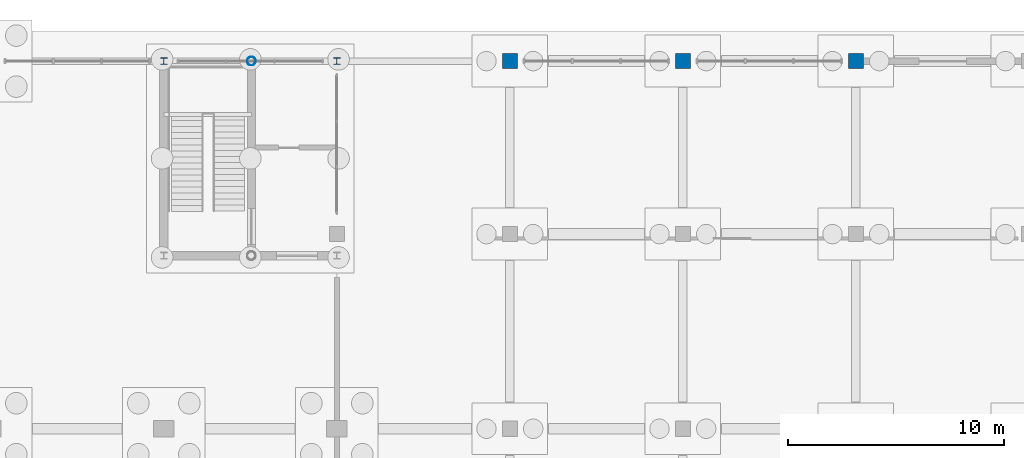
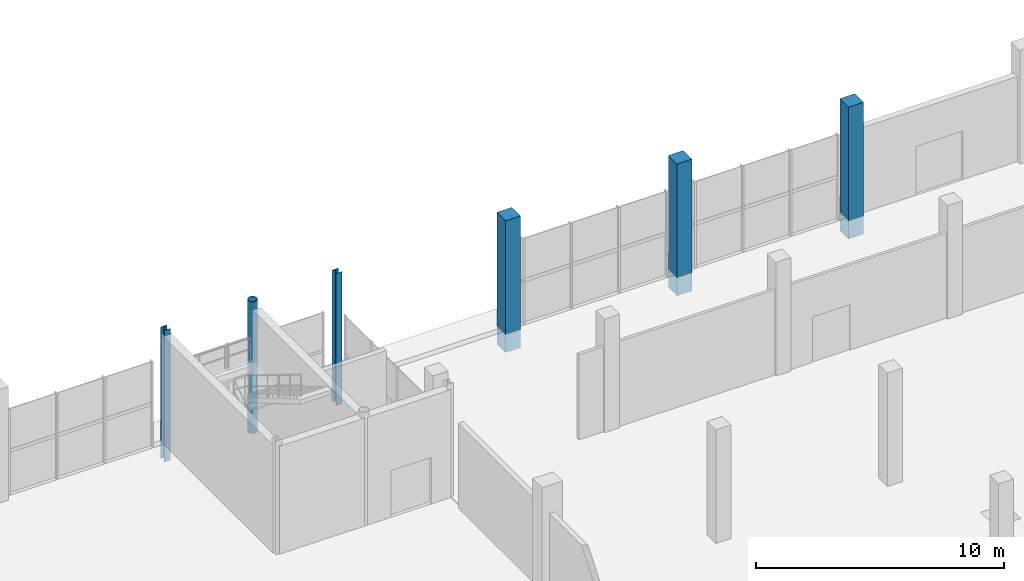
# One storey, part 33 of 98: 6 columns.
"""IFC4 building model written with IfcOpenShell, lengths in metres."""

from ifc_helpers import new_model, si_unit, derived_unit, direction, frame, origin, origin_2d, place, context, subcontext, project, spatial, rectangle, hollow_circle, i_section, extrude, material, material_profile, profile_set, type_object, element, save


model = new_model("IFC4")

# Units and contexts
model_context = context("Model", 3, precision=1e-05, world=origin(), true_north=direction((0.0, 1.0)))
body_context = subcontext(model_context, "Body", "Model", "MODEL_VIEW")
ifc_project = project(units=[si_unit("LENGTHUNIT", "METRE"), si_unit("AREAUNIT", "SQUARE_METRE"), si_unit("VOLUMEUNIT", "CUBIC_METRE"), si_unit("PLANEANGLEUNIT", "RADIAN"), si_unit("MASSUNIT", "GRAM", prefix="KILO"), si_unit("THERMODYNAMICTEMPERATUREUNIT", "KELVIN"), derived_unit("THERMALTRANSMITTANCEUNIT", [(si_unit("POWERUNIT", "WATT"), 1), (si_unit("AREAUNIT", "SQUARE_METRE"), -1), (si_unit("THERMODYNAMICTEMPERATUREUNIT", "KELVIN"), -1)])], contexts=[model_context])

# Site, building, storey
site_placement = place(None, origin())
site = spatial("IfcSite", under=ifc_project, at=site_placement, CompositionType="ELEMENT")
building_placement = place(site_placement, origin())
building = spatial("IfcBuilding", under=site, at=building_placement, Name="Haiyu Intermodal Mobility Hub", CompositionType="ELEMENT")
storey_placement = place(building_placement, origin())
storey = spatial("IfcBuildingStorey", under=building, at=storey_placement, Name="L00", CompositionType="ELEMENT", Elevation=0.0)

# Columns
ifc_material_1 = material(Name="Concrete C40", Category="concrete")
ifc_material_profile_1 = material_profile(ifc_material_1, rectangle(XDim=0.699951171875, YDim=0.699951171875, at=origin_2d()), Name="RC700x700")
ifc_profile_set_1 = profile_set([ifc_material_profile_1], Name="Concrete C40")
column_type_1 = type_object("IfcColumnType", Name="COL-CC08-EXT", PredefinedType="COLUMN", material=ifc_profile_set_1)
for number, where, z_axis, x_axis, name in (
    (1, (170.0, 148.0, -0.89990234375), (0.0, 0.0, 1.0), (1.0, 0.0, 0.0), "Column V6-19S L00"),
    (2, (178.0, 148.0, -0.89990234375), (0.0, 0.0, 1.0), (1.0, 0.0, 0.0), "Column V6-20S L00"),
    (3, (186.0, 148.0, -0.89990234375), (0.0, 0.0, 1.0), (1.0, 0.0, 0.0), "Column V6-21S L00"),
):
    element("IfcColumn", number, at=place(storey_placement, frame(where, z_axis=z_axis, x_axis=x_axis)), inside=storey, type_object=column_type_1, Name=name, PredefinedType="COLUMN", context=body_context, shape_type="SweptSolid", body=[
        extrude(rectangle(XDim=0.699951171875, YDim=0.699951171875, at=origin_2d()), origin(), (0.0, 0.0, 1.0), 6.5),
    ])
ifc_material_2 = material(Name="Steel Q355C", Category="steel")
ifc_material_profile_2 = material_profile(ifc_material_2, hollow_circle(Radius=0.202880859375, WallThickness=0.013916015625, at=origin_2d()), Name="CHS406x14")
ifc_profile_set_2 = profile_set([ifc_material_profile_2], Name="Steel Q355C")
column_type_2 = type_object("IfcColumnType", Name="COL-SC03-EXT", PredefinedType="COLUMN", material=ifc_profile_set_2)
column_placement = place(storey_placement, frame((158.050048828125, 148.0, -0.89990234375), z_axis=(0.0, 0.0, 1.0), x_axis=(1.0, 0.0, 0.0)))
element("IfcColumn", 4, at=column_placement, inside=storey, type_object=column_type_2, Name="Column C4-MN L00", PredefinedType="COLUMN", context=body_context, shape_type="SweptSolid", body=[
    extrude(hollow_circle(Radius=0.202880859375, WallThickness=0.013916015625, at=origin_2d()), origin(), (0.0, 0.0, 1.0), 6.5),
])
ifc_material_profile_3 = material_profile(ifc_material_2, i_section(OverallWidth=0.300048828125, OverallDepth=0.300048828125, WebThickness=0.010009765625, FlangeThickness=0.014892578125, FilletRadius=0.01806640625, at=origin_2d()), Name="HW300x300x10x15")
ifc_profile_set_3 = profile_set([ifc_material_profile_3], Name="Steel Q355C")
column_type_3 = type_object("IfcColumnType", Name="COL-SC07-EXT", PredefinedType="COLUMN", material=ifc_profile_set_3)
for number, where, z_axis, x_axis, name in (
    (5, (154.0, 148.0, -0.89990234375), (0.0, 0.0, 1.0), (1.0, 0.0, 0.0), "Column C4-NW L00"),
    (6, (162.0, 148.0, -0.89990234375), (0.0, 0.0, 1.0), (1.0, 0.0, 0.0), "Column C4-NE L00"),
):
    element("IfcColumn", number, at=place(storey_placement, frame(where, z_axis=z_axis, x_axis=x_axis)), inside=storey, type_object=column_type_3, Name=name, PredefinedType="COLUMN", context=body_context, shape_type="SweptSolid", body=[
        extrude(i_section(OverallWidth=0.300048828125, OverallDepth=0.300048828125, WebThickness=0.010009765625, FlangeThickness=0.014892578125, FilletRadius=0.01806640625, at=origin_2d()), origin(), (0.0, 0.0, 1.0), 6.5),
    ])

save(model, "model.ifc")
